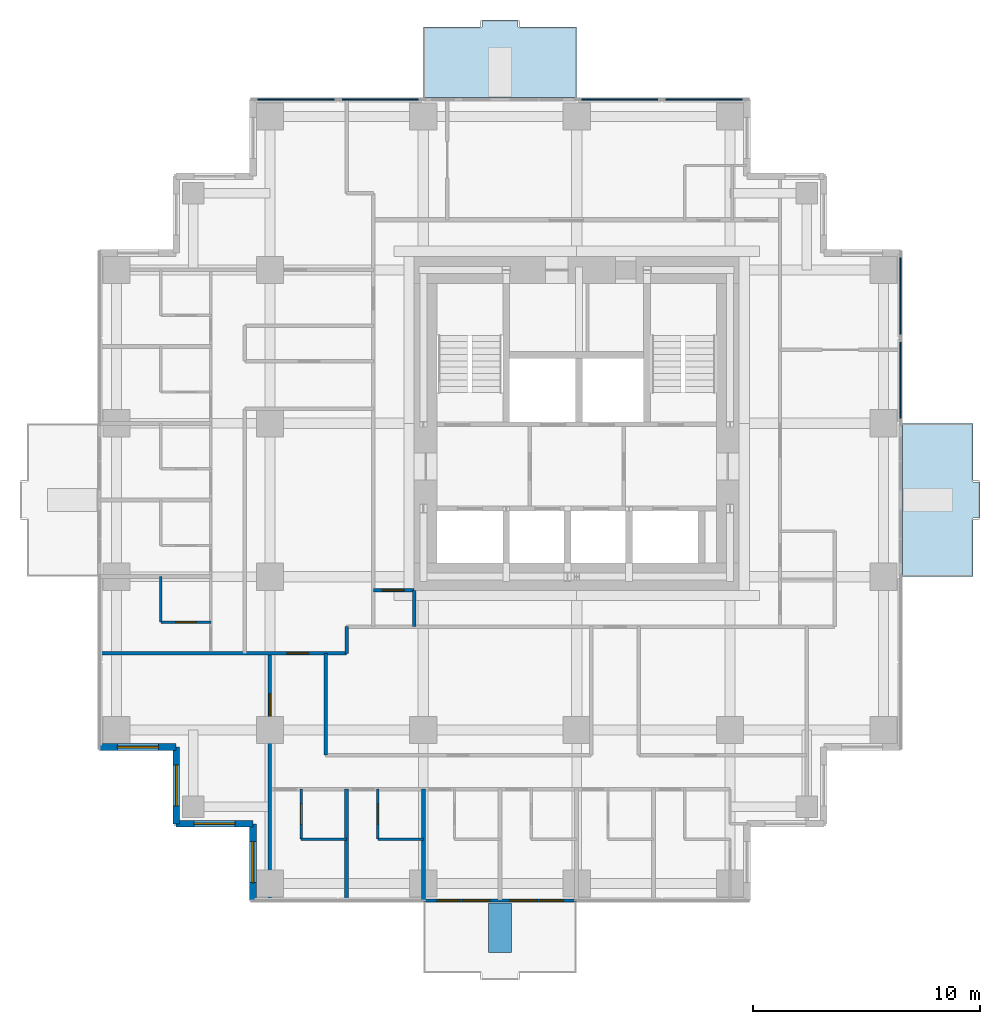
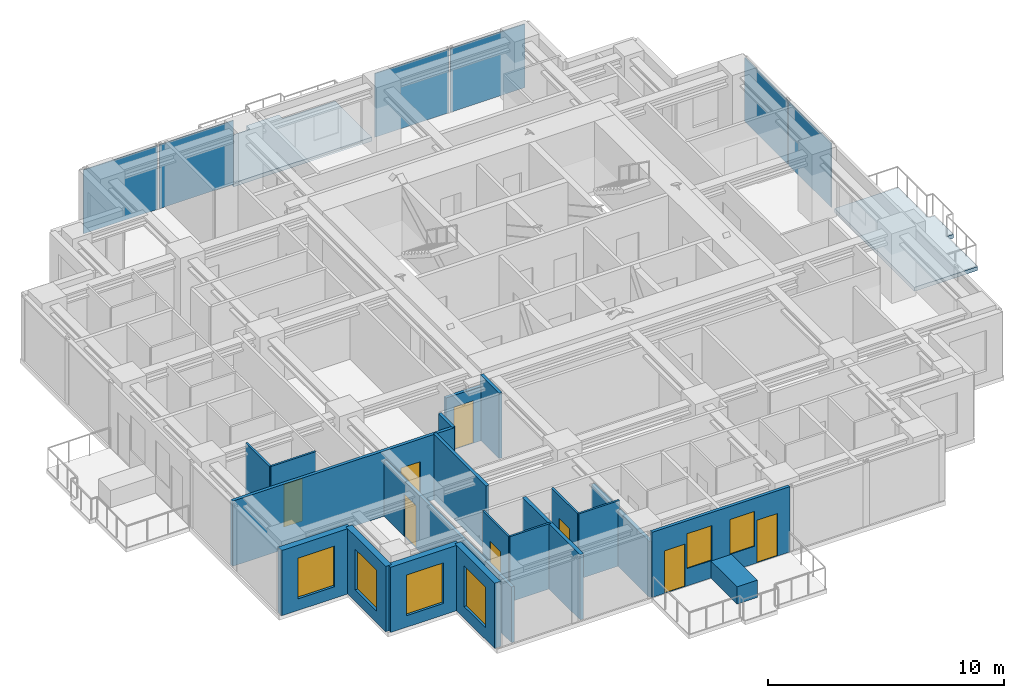
# One storey, part 3 of 8: 20 walls, 8 doors, 6 plates, 6 windows, 2 slabs, 14 openings, 3 elements without a shape of their own.
"""IFC4 building model written with IfcOpenShell, lengths in metres."""

from ifc_helpers import new_model, si_unit, direction, frame, frame_2d, origin, origin_2d, place, context, subcontext, project, spatial, polyline, rectangle, outline, extrude, material, layer, layer_set, type_object, element, fill, aggregate, save


model = new_model("IFC4")

# Units and contexts
model_context = context("Model", 3, precision=1e-05, world=origin(), true_north=direction((0.0, 1.0)))
body_context = subcontext(model_context, "Body", "Model", "MODEL_VIEW")
ifc_project = project(units=[si_unit("LENGTHUNIT", "METRE"), si_unit("AREAUNIT", "SQUARE_METRE"), si_unit("VOLUMEUNIT", "CUBIC_METRE"), si_unit("PLANEANGLEUNIT", "RADIAN"), si_unit("MASSUNIT", "GRAM", prefix="KILO")], contexts=[model_context])

# Site, building, storey
site_placement = place(None, origin())
site = spatial("IfcSite", under=ifc_project, at=site_placement, CompositionType="ELEMENT")
building_placement = place(site_placement, origin())
building = spatial("IfcBuilding", under=site, at=building_placement, Name="Nyansa Garden Tower", CompositionType="ELEMENT")
storey_placement = place(building_placement, frame((0.0, 0.0, 171.0)))
storey = spatial("IfcBuildingStorey", under=building, at=storey_placement, Name="L46", CompositionType="ELEMENT", Elevation=171.0)

# Slabs
ifc_material_1 = material(Name="Concrete C40/50", Category="concrete")
ifc_layer_1 = layer(ifc_material_1, 0.199951171875)
ifc_layer_set_1 = layer_set([ifc_layer_1], Name="Balcony slab BS200")
slab_type = type_object("IfcSlabType", Name="Balcony slab BS200", PredefinedType="FLOOR", material=ifc_layer_set_1)
slab_1_placement = place(storey_placement, frame((0.0, 0.0, -0.239990234375)))
element("IfcSlab", 1, at=slab_1_placement, inside=storey, type_object=slab_type, Name="Balcony L46 E", PredefinedType="FLOOR", context=body_context, shape_type="SweptSolid", body=[
    extrude(outline(polyline([(34.60009765625, 13.5), (34.60009765625, 20.25), (37.699951171875, 20.25), (37.699951171875, 17.675048828125), (38.0, 17.675048828125), (38.0, 16.074951171875), (37.699951171875, 16.074951171875), (37.699951171875, 13.5), (34.60009765625, 13.5)])), origin(), (0.0, 0.0, 1.0), 0.199951171875),
])
slab_2_placement = place(storey_placement, frame((0.0, 0.0, -0.239990234375)))
element("IfcSlab", 2, at=slab_2_placement, inside=storey, type_object=slab_type, Name="Balcony L46 N", PredefinedType="FLOOR", context=body_context, shape_type="SweptSolid", body=[
    extrude(outline(polyline([(13.5, 34.60009765625), (20.25, 34.60009765625), (20.25, 37.699951171875), (17.675048828125, 37.699951171875), (17.675048828125, 38.0), (16.074951171875, 38.0), (16.074951171875, 37.699951171875), (13.5, 37.699951171875), (13.5, 34.60009765625)])), origin(), (0.0, 0.0, 1.0), 0.199951171875),
])

# Curtain wall, plates
ifc_material_2 = material(Name="Black anodised aluminium, dark tinted double glazing", Category="aluminium")
curtain_wall_type = type_object("IfcCurtainWallType", Name="Sky lounge curtain wall SLW", PredefinedType="USERDEFINED", material=ifc_material_2)
curtain_wall_1_placement = place(storey_placement, origin())
curtain_wall_1 = element("IfcCurtainWall", 3, at=curtain_wall_1_placement, inside=storey, type_object=curtain_wall_type, Name="Inner skin curtain wall L46 E", ObjectType="UNITISED CURTAIN WALL", PredefinedType="USERDEFINED")
ifc_material_3 = material(Name="Dark tinted laminated double glazing", Category="glass")
ifc_layer_2 = layer(ifc_material_3, 0.048095703125)
ifc_layer_set_2 = layer_set([ifc_layer_2], Name="Lounge vision panel VP-L")
plate_type = type_object("IfcPlateType", Name="Lounge vision panel VP-L", PredefinedType="CURTAIN_PANEL", material=ifc_layer_set_2)
plate_1_placement = place(storey_placement, frame((34.5, 22.14501953125, 0.0), z_axis=(0.0, 0.0, 1.0), x_axis=(0.0, 1.0, 0.0)))
plate_1 = element("IfcPlate", 4, at=plate_1_placement, type_object=plate_type, Name="SLW panel 1", PredefinedType="CURTAIN_PANEL", context=body_context, shape_type="SweptSolid", body=[
    extrude(rectangle(XDim=3.6298828125, YDim=0.048095703125, at=origin_2d()), origin(), (0.0, 0.0, 1.0), 3.294921875),
])
plate_2_placement = place(storey_placement, frame((34.5, 25.85498046875, 0.0), z_axis=(0.0, 0.0, 1.0), x_axis=(0.0, 1.0, 0.0)))
plate_2 = element("IfcPlate", 5, at=plate_2_placement, type_object=plate_type, Name="SLW panel 2", PredefinedType="CURTAIN_PANEL", context=body_context, shape_type="SweptSolid", body=[
    extrude(rectangle(XDim=3.6298828125, YDim=0.048095703125, at=origin_2d()), origin(), (0.0, 0.0, 1.0), 3.294921875),
])
aggregate(curtain_wall_1, [plate_1, plate_2])

curtain_wall_2_placement = place(storey_placement, origin())
curtain_wall_2 = element("IfcCurtainWall", 6, at=curtain_wall_2_placement, inside=storey, type_object=curtain_wall_type, Name="Inner skin curtain wall L46 N", ObjectType="UNITISED CURTAIN WALL", PredefinedType="USERDEFINED")
plate_3_placement = place(storey_placement, frame((11.60498046875, 34.5, 0.0), z_axis=(0.0, 0.0, 1.0), x_axis=(-1.0, 0.0, 0.0)))
plate_3 = element("IfcPlate", 7, at=plate_3_placement, type_object=plate_type, Name="SLW panel 1", PredefinedType="CURTAIN_PANEL", context=body_context, shape_type="SweptSolid", body=[
    extrude(rectangle(XDim=3.6298828125, YDim=0.048095703125, at=origin_2d()), origin(), (0.0, 0.0, 1.0), 3.294921875),
])
plate_4_placement = place(storey_placement, frame((7.89501953125, 34.5, 0.0), z_axis=(0.0, 0.0, 1.0), x_axis=(-1.0, 0.0, 0.0)))
plate_4 = element("IfcPlate", 8, at=plate_4_placement, type_object=plate_type, Name="SLW panel 2", PredefinedType="CURTAIN_PANEL", context=body_context, shape_type="SweptSolid", body=[
    extrude(rectangle(XDim=3.6298828125, YDim=0.048095703125, at=origin_2d()), origin(), (0.0, 0.0, 1.0), 3.294921875),
])
aggregate(curtain_wall_2, [plate_3, plate_4])

curtain_wall_3_placement = place(storey_placement, origin())
curtain_wall_3 = element("IfcCurtainWall", 9, at=curtain_wall_3_placement, inside=storey, type_object=curtain_wall_type, Name="Inner skin curtain wall L46 N", ObjectType="UNITISED CURTAIN WALL", PredefinedType="USERDEFINED")
plate_5_placement = place(storey_placement, frame((25.85498046875, 34.5, 0.0), z_axis=(0.0, 0.0, 1.0), x_axis=(-1.0, 0.0, 0.0)))
plate_5 = element("IfcPlate", 10, at=plate_5_placement, type_object=plate_type, Name="SLW panel 1", PredefinedType="CURTAIN_PANEL", context=body_context, shape_type="SweptSolid", body=[
    extrude(rectangle(XDim=3.6298828125, YDim=0.048095703125, at=origin_2d()), origin(), (0.0, 0.0, 1.0), 3.294921875),
])
plate_6_placement = place(storey_placement, frame((22.14501953125, 34.5, 0.0), z_axis=(0.0, 0.0, 1.0), x_axis=(-1.0, 0.0, 0.0)))
plate_6 = element("IfcPlate", 11, at=plate_6_placement, type_object=plate_type, Name="SLW panel 2", PredefinedType="CURTAIN_PANEL", context=body_context, shape_type="SweptSolid", body=[
    extrude(rectangle(XDim=3.6298828125, YDim=0.048095703125, at=origin_2d()), origin(), (0.0, 0.0, 1.0), 3.294921875),
])
aggregate(curtain_wall_3, [plate_5, plate_6])

# Walls
ifc_material_4 = material(Name="Dense blockwork, plastered both sides, 55 dB", Category="masonry")
ifc_layer_3 = layer(ifc_material_4, 0.175048828125)
ifc_layer_set_3 = layer_set([ifc_layer_3], Name="Acoustic party wall PW175")
wall_type_1 = type_object("IfcWallType", Name="Acoustic party wall PW175", PredefinedType="PARTITIONING", material=ifc_layer_set_3)
wall_1_placement = place(storey_placement, frame((10.125, -0.73388671875, 0.0), z_axis=(0.0, 0.0, 1.0), x_axis=(0.0, 1.0, 0.0)))
element("IfcWall", 12, at=wall_1_placement, inside=storey, type_object=wall_type_1, Name="Party wall", PredefinedType="PARTITIONING", context=body_context, shape_type="SweptSolid", body=[
    extrude(rectangle(XDim=4.8837890625, YDim=0.175048828125, at=frame_2d((2.44189453125, 0.0))), origin(), (0.0, 0.0, 1.0), 3.375),
])
wall_2_placement = place(storey_placement, frame((13.5, -0.73388671875, 0.0), z_axis=(0.0, 0.0, 1.0), x_axis=(0.0, 1.0, 0.0)))
element("IfcWall", 13, at=wall_2_placement, inside=storey, type_object=wall_type_1, Name="Party wall", PredefinedType="PARTITIONING", context=body_context, shape_type="SweptSolid", body=[
    extrude(rectangle(XDim=4.8837890625, YDim=0.175048828125, at=frame_2d((2.44189453125, 0.0))), origin(), (0.0, 0.0, 1.0), 2.876953125),
])

# Wall, openings, doors, windows
ifc_material_5 = material(Name="Black aluminium framed glazed screen", Category="aluminium")
ifc_layer_4 = layer(ifc_material_5, 0.14990234375)
ifc_layer_set_4 = layer_set([ifc_layer_4], Name="Balcony screen wall BW150")
wall_type_2 = type_object("IfcWallType", Name="Balcony screen wall BW150", PredefinedType="SOLIDWALL", material=ifc_layer_set_4)
wall_3_placement = place(storey_placement, frame((20.25, -0.75, 0.0), z_axis=(0.0, 0.0, 1.0), x_axis=(-1.0, 0.0, 0.0)))
wall_3 = element("IfcWall", 14, at=wall_3_placement, inside=storey, type_object=wall_type_2, Name="Glazed screen wall L46 S", PredefinedType="SOLIDWALL", context=body_context, shape_type="SweptSolid", body=[
    extrude(rectangle(XDim=6.75, YDim=0.14990234375, at=frame_2d((3.375, 0.0))), origin(), (0.0, 0.0, 1.0), 3.375),
])
opening_1_placement = place(wall_3_placement, frame((0.612548828125, 0.0, 0.0)))
opening_1 = element("IfcOpeningElement", 15, at=opening_1_placement, cuts=wall_3, Name="Opening D20", PredefinedType="OPENING", context=body_context, shape_type="SweptSolid", body=[
    extrude(rectangle(XDim=1.0, YDim=2.199951171875, at=frame_2d((0.5, 1.10009765625))), frame((0.0, 0.0849609375, 0.0), z_axis=(0.0, -1.0, 0.0), x_axis=(1.0, 0.0, 0.0)), (0.0, 0.0, 1.0), 0.169921875),
])
opening_2_placement = place(wall_3_placement, frame((1.72509765625, 0.0, 0.89990234375)))
opening_2 = element("IfcOpeningElement", 16, at=opening_2_placement, cuts=wall_3, Name="Opening W6", PredefinedType="OPENING", context=body_context, shape_type="SweptSolid", body=[
    extrude(rectangle(XDim=1.199951171875, YDim=1.800048828125, at=frame_2d((0.60009765625, 0.89990234375))), frame((0.0, 0.0849609375, 0.0), z_axis=(0.0, -1.0, 0.0), x_axis=(1.0, 0.0, 0.0)), (0.0, 0.0, 1.0), 0.169921875),
])
opening_3_placement = place(wall_3_placement, frame((5.137451171875, 0.0, 0.0)))
opening_3 = element("IfcOpeningElement", 17, at=opening_3_placement, cuts=wall_3, Name="Opening D20", PredefinedType="OPENING", context=body_context, shape_type="SweptSolid", body=[
    extrude(rectangle(XDim=1.0, YDim=2.199951171875, at=frame_2d((0.5, 1.10009765625))), frame((0.0, 0.0849609375, 0.0), z_axis=(0.0, -1.0, 0.0), x_axis=(1.0, 0.0, 0.0)), (0.0, 0.0, 1.0), 0.169921875),
])
opening_4_placement = place(wall_3_placement, frame((3.824951171875, 0.0, 0.89990234375)))
opening_4 = element("IfcOpeningElement", 18, at=opening_4_placement, cuts=wall_3, Name="Opening W6", PredefinedType="OPENING", context=body_context, shape_type="SweptSolid", body=[
    extrude(rectangle(XDim=1.199951171875, YDim=1.800048828125, at=frame_2d((0.60009765625, 0.89990234375))), frame((0.0, 0.0849609375, 0.0), z_axis=(0.0, -1.0, 0.0), x_axis=(1.0, 0.0, 0.0)), (0.0, 0.0, 1.0), 0.169921875),
])
ifc_material_6 = material(Name="Black aluminium framed glazed door", Category="aluminium")
door_type_1 = type_object("IfcDoorType", Name="Balcony door D20 1000x2200", OperationType="NOTDEFINED", PredefinedType="DOOR", material=ifc_material_6)
door_1_placement = place(opening_1_placement, origin())
door_1 = element("IfcDoor", 19, at=door_1_placement, inside=storey, type_object=door_type_1, Name="Balcony door L46", OperationType="SINGLE_SWING_LEFT", OverallHeight=2.199951171875, OverallWidth=1.0, PredefinedType="DOOR", context=body_context, shape_type="SweptSolid", body=[
    extrude(rectangle(XDim=1.0, YDim=2.199951171875, at=frame_2d((0.5, 1.10009765625))), frame((0.0, 0.02490234375, 0.0), z_axis=(0.0, -1.0, 0.0), x_axis=(1.0, 0.0, 0.0)), (0.0, 0.0, 1.0), 0.050048828125),
])
fill(opening_1, door_1)
door_2_placement = place(opening_3_placement, origin())
door_2 = element("IfcDoor", 20, at=door_2_placement, inside=storey, type_object=door_type_1, Name="Balcony door L46", OperationType="SINGLE_SWING_RIGHT", OverallHeight=2.199951171875, OverallWidth=1.0, PredefinedType="DOOR", context=body_context, shape_type="SweptSolid", body=[
    extrude(rectangle(XDim=1.0, YDim=2.199951171875, at=frame_2d((0.5, 1.10009765625))), frame((0.0, 0.02490234375, 0.0), z_axis=(0.0, -1.0, 0.0), x_axis=(1.0, 0.0, 0.0)), (0.0, 0.0, 1.0), 0.050048828125),
])
fill(opening_3, door_2)
ifc_material_7 = material(Name="Black aluminium frame, dark tinted double glazing", Category="aluminium")
window_type_1 = type_object("IfcWindowType", Name="Balcony window W6 1200x1800", PartitioningType="SINGLE_PANEL", PredefinedType="WINDOW", material=ifc_material_7)
window_1_placement = place(opening_2_placement, origin())
window_1 = element("IfcWindow", 21, at=window_1_placement, inside=storey, type_object=window_type_1, Name="Window L46", OverallHeight=1.800048828125, OverallWidth=1.199951171875, PartitioningType="SINGLE_PANEL", PredefinedType="WINDOW", context=body_context, shape_type="SweptSolid", body=[
    extrude(rectangle(XDim=1.199951171875, YDim=1.800048828125, at=frame_2d((0.60009765625, 0.89990234375))), frame((0.0, 0.030029296875, 0.0), z_axis=(0.0, -1.0, 0.0), x_axis=(1.0, 0.0, 0.0)), (0.0, 0.0, 1.0), 0.06005859375),
])
fill(opening_2, window_1)
window_2_placement = place(opening_4_placement, origin())
window_2 = element("IfcWindow", 22, at=window_2_placement, inside=storey, type_object=window_type_1, Name="Window L46", OverallHeight=1.800048828125, OverallWidth=1.199951171875, PartitioningType="SINGLE_PANEL", PredefinedType="WINDOW", context=body_context, shape_type="SweptSolid", body=[
    extrude(rectangle(XDim=1.199951171875, YDim=1.800048828125, at=frame_2d((0.60009765625, 0.89990234375))), frame((0.0, 0.030029296875, 0.0), z_axis=(0.0, -1.0, 0.0), x_axis=(1.0, 0.0, 0.0)), (0.0, 0.0, 1.0), 0.06005859375),
])
fill(opening_4, window_2)

# Wall, opening, door
ifc_material_8 = material(Name="Blockwork, plastered both sides", Category="masonry")
ifc_layer_5 = layer(ifc_material_8, 0.14990234375)
ifc_layer_set_5 = layer_set([ifc_layer_5], Name="Partition PW150")
wall_type_3 = type_object("IfcWallType", Name="Partition PW150", PredefinedType="PARTITIONING", material=ifc_layer_set_5)
wall_4_placement = place(storey_placement, frame((-0.73388671875, 10.125, 0.0), z_axis=(0.0, 0.0, 1.0), x_axis=(1.0, 0.0, 0.0)))
wall_4 = element("IfcWall", 23, at=wall_4_placement, inside=storey, type_object=wall_type_3, Name="Partition", PredefinedType="PARTITIONING", context=body_context, shape_type="SweptSolid", body=[
    extrude(rectangle(XDim=10.85888671875, YDim=0.14990234375, at=frame_2d((5.429443359375, 0.0))), origin(), (0.0, 0.0, 1.0), 3.375),
])
opening_5_placement = place(wall_4_placement, frame((8.23388671875, 0.0, 0.0)))
opening_5 = element("IfcOpeningElement", 24, at=opening_5_placement, cuts=wall_4, Name="Opening D01", PredefinedType="OPENING", context=body_context, shape_type="SweptSolid", body=[
    extrude(rectangle(XDim=0.949951171875, YDim=2.199951171875, at=frame_2d((0.47509765625, 1.10009765625))), frame((0.0, 0.0849609375, 0.0), z_axis=(0.0, -1.0, 0.0), x_axis=(1.0, 0.0, 0.0)), (0.0, 0.0, 1.0), 0.169921875),
])
ifc_material_9 = material(Name="Timber flush door, 30 minute fire resisting", Category="wood")
door_type_2 = type_object("IfcDoorType", Name="Bedroom door D01 950x2200", OperationType="SINGLE_SWING_LEFT", PredefinedType="DOOR", material=ifc_material_9)
door_3_placement = place(opening_5_placement, origin())
door_3 = element("IfcDoor", 25, at=door_3_placement, inside=storey, type_object=door_type_2, Name="Door L46-054", OperationType="SINGLE_SWING_LEFT", OverallHeight=2.199951171875, OverallWidth=0.949951171875, PredefinedType="DOOR", context=body_context, shape_type="SweptSolid", body=[
    extrude(rectangle(XDim=0.949951171875, YDim=2.199951171875, at=frame_2d((0.47509765625, 1.10009765625))), frame((0.0, 0.02490234375, 0.0), z_axis=(0.0, -1.0, 0.0), x_axis=(1.0, 0.0, 0.0)), (0.0, 0.0, 1.0), 0.050048828125),
])
fill(opening_5, door_3)

wall_5_placement = place(storey_placement, frame((6.75, -0.73388671875, 0.0), z_axis=(0.0, 0.0, 1.0), x_axis=(0.0, 1.0, 0.0)))
wall_5 = element("IfcWall", 26, at=wall_5_placement, inside=storey, type_object=wall_type_3, Name="Partition", PredefinedType="PARTITIONING", context=body_context, shape_type="SweptSolid", body=[
    extrude(rectangle(XDim=10.85888671875, YDim=0.14990234375, at=frame_2d((5.429443359375, 0.0))), origin(), (0.0, 0.0, 1.0), 2.876953125),
])
opening_6_placement = place(wall_5_placement, frame((8.083984375, 0.0, 0.0)))
opening_6 = element("IfcOpeningElement", 27, at=opening_6_placement, cuts=wall_5, Name="Opening D03", PredefinedType="OPENING", context=body_context, shape_type="SweptSolid", body=[
    extrude(rectangle(XDim=1.0, YDim=2.199951171875, at=frame_2d((0.5, 1.10009765625))), frame((0.0, 0.0849609375, 0.0), z_axis=(0.0, -1.0, 0.0), x_axis=(1.0, 0.0, 0.0)), (0.0, 0.0, 1.0), 0.169921875),
])
ifc_material_10 = material(Name="Timber flush door, 60 minute fire resisting", Category="wood")
door_type_3 = type_object("IfcDoorType", Name="Cluster entrance door D03 1000x2200", OperationType="SINGLE_SWING_LEFT", PredefinedType="DOOR", material=ifc_material_10)
door_4_placement = place(opening_6_placement, origin())
door_4 = element("IfcDoor", 28, at=door_4_placement, inside=storey, type_object=door_type_3, Name="Door L46-029", OperationType="SINGLE_SWING_LEFT", OverallHeight=2.199951171875, OverallWidth=1.0, PredefinedType="DOOR", context=body_context, shape_type="SweptSolid", body=[
    extrude(rectangle(XDim=1.0, YDim=2.199951171875, at=frame_2d((0.5, 1.10009765625))), frame((0.0, 0.02490234375, 0.0), z_axis=(0.0, -1.0, 0.0), x_axis=(1.0, 0.0, 0.0)), (0.0, 0.0, 1.0), 0.050048828125),
])
fill(opening_6, door_4)

# Walls
wall_6_placement = place(storey_placement, frame((9.199951171875, 5.64990234375, 0.0), z_axis=(0.0, 0.0, 1.0), x_axis=(0.0, 1.0, 0.0)))
element("IfcWall", 29, at=wall_6_placement, inside=storey, type_object=wall_type_3, Name="Partition", PredefinedType="PARTITIONING", context=body_context, shape_type="SweptSolid", body=[
    extrude(rectangle(XDim=4.47509765625, YDim=0.14990234375, at=frame_2d((2.237548828125, 0.0))), origin(), (0.0, 0.0, 1.0), 3.375),
])
wall_7_placement = place(storey_placement, frame((10.125, 10.125, 0.0), z_axis=(0.0, 0.0, 1.0), x_axis=(0.0, 1.0, 0.0)))
element("IfcWall", 30, at=wall_7_placement, inside=storey, type_object=wall_type_3, Name="Partition", PredefinedType="PARTITIONING", context=body_context, shape_type="SweptSolid", body=[
    extrude(rectangle(XDim=1.175048828125, YDim=0.14990234375, at=frame_2d((0.58740234375, 0.0))), origin(), (0.0, 0.0, 1.0), 3.375),
])

# Wall, opening, door
wall_8_placement = place(storey_placement, frame((11.300048828125, 12.89990234375, 0.0), z_axis=(0.0, 0.0, 1.0), x_axis=(1.0, 0.0, 0.0)))
wall_8 = element("IfcWall", 31, at=wall_8_placement, inside=storey, type_object=wall_type_3, Name="Partition", PredefinedType="PARTITIONING", context=body_context, shape_type="SweptSolid", body=[
    extrude(rectangle(XDim=1.800048828125, YDim=0.14990234375, at=frame_2d((0.89990234375, 0.0))), origin(), (0.0, 0.0, 1.0), 2.805908203125),
])
opening_7_placement = place(wall_8_placement, frame((0.39990234375, 0.0, 0.0)))
opening_7 = element("IfcOpeningElement", 32, at=opening_7_placement, cuts=wall_8, Name="Opening D01", PredefinedType="OPENING", context=body_context, shape_type="SweptSolid", body=[
    extrude(rectangle(XDim=0.949951171875, YDim=2.199951171875, at=frame_2d((0.47509765625, 1.10009765625))), frame((0.0, 0.0849609375, 0.0), z_axis=(0.0, -1.0, 0.0), x_axis=(1.0, 0.0, 0.0)), (0.0, 0.0, 1.0), 0.169921875),
])
door_5_placement = place(opening_7_placement, origin())
door_5 = element("IfcDoor", 33, at=door_5_placement, inside=storey, type_object=door_type_2, Name="Door L46-016", OperationType="SINGLE_SWING_LEFT", OverallHeight=2.199951171875, OverallWidth=0.949951171875, PredefinedType="DOOR", context=body_context, shape_type="SweptSolid", body=[
    extrude(rectangle(XDim=0.949951171875, YDim=2.199951171875, at=frame_2d((0.47509765625, 1.10009765625))), frame((0.0, 0.02490234375, 0.0), z_axis=(0.0, -1.0, 0.0), x_axis=(1.0, 0.0, 0.0)), (0.0, 0.0, 1.0), 0.050048828125),
])
fill(opening_7, door_5)

# Wall
wall_9_placement = place(storey_placement, frame((13.10009765625, 11.300048828125, 0.0), z_axis=(0.0, 0.0, 1.0), x_axis=(0.0, 1.0, 0.0)))
element("IfcWall", 34, at=wall_9_placement, inside=storey, type_object=wall_type_3, Name="Partition", PredefinedType="PARTITIONING", context=body_context, shape_type="SweptSolid", body=[
    extrude(rectangle(XDim=1.599853515625, YDim=0.14990234375, at=frame_2d((0.7998046875, 0.0))), origin(), (0.0, 0.0, 1.0), 3.375),
])

# Wall, opening, window
ifc_material_11 = material(Name="Turquoise glazed tile on concrete blockwork", Category="masonry")
ifc_layer_6 = layer(ifc_material_11, 0.300048828125)
ifc_layer_set_6 = layer_set([ifc_layer_6], Name="Tiled corner wall TW300")
wall_type_4 = type_object("IfcWallType", Name="Tiled corner wall TW300", PredefinedType="SOLIDWALL", material=ifc_layer_set_6)
wall_10_placement = place(storey_placement, frame((-0.75, 6.0, 0.0), z_axis=(0.0, 0.0, 1.0), x_axis=(1.0, 0.0, 0.0)))
wall_10 = element("IfcWall", 35, at=wall_10_placement, inside=storey, type_object=wall_type_4, Name="Tiled corner wall L46", PredefinedType="SOLIDWALL", context=body_context, shape_type="SweptSolid", body=[
    extrude(rectangle(XDim=3.375, YDim=0.300048828125, at=frame_2d((1.6875, 0.0))), origin(), (0.0, 0.0, 1.0), 3.375),
])
opening_8_placement = place(wall_10_placement, frame((0.78759765625, 0.0, 0.60009765625)))
opening_8 = element("IfcOpeningElement", 36, at=opening_8_placement, cuts=wall_10, Name="Opening W2", PredefinedType="OPENING", context=body_context, shape_type="SweptSolid", body=[
    extrude(rectangle(XDim=1.800048828125, YDim=2.10009765625, at=frame_2d((0.89990234375, 1.050048828125))), frame((0.0, 0.159912109375, 0.0), z_axis=(0.0, -1.0, 0.0), x_axis=(1.0, 0.0, 0.0)), (0.0, 0.0, 1.0), 0.320068359375),
])
ifc_material_12 = material(Name="Black aluminium frame, dark tinted double glazing", Category="aluminium")
window_type_2 = type_object("IfcWindowType", Name="Window W2 1800x2100", PartitioningType="SINGLE_PANEL", PredefinedType="WINDOW", material=ifc_material_12)
window_3_placement = place(opening_8_placement, origin())
window_3 = element("IfcWindow", 37, at=window_3_placement, inside=storey, type_object=window_type_2, Name="Corner window L46", OverallHeight=2.10009765625, OverallWidth=1.800048828125, PartitioningType="SINGLE_PANEL", PredefinedType="WINDOW", context=body_context, shape_type="SweptSolid", body=[
    extrude(rectangle(XDim=1.800048828125, YDim=2.10009765625, at=frame_2d((0.89990234375, 1.050048828125))), frame((0.0, 0.030029296875, 0.0), z_axis=(0.0, -1.0, 0.0), x_axis=(1.0, 0.0, 0.0)), (0.0, 0.0, 1.0), 0.06005859375),
])
fill(opening_8, window_3)

wall_11_placement = place(storey_placement, frame((2.625, 6.0, 0.0), z_axis=(0.0, 0.0, 1.0), x_axis=(0.0, -1.0, 0.0)))
wall_11 = element("IfcWall", 38, at=wall_11_placement, inside=storey, type_object=wall_type_4, Name="Tiled corner wall L46", PredefinedType="SOLIDWALL", context=body_context, shape_type="SweptSolid", body=[
    extrude(rectangle(XDim=3.375, YDim=0.300048828125, at=frame_2d((1.6875, 0.0))), origin(), (0.0, 0.0, 1.0), 3.375),
])
opening_9_placement = place(wall_11_placement, frame((0.78759765625, 0.0, 0.60009765625)))
opening_9 = element("IfcOpeningElement", 39, at=opening_9_placement, cuts=wall_11, Name="Opening W2", PredefinedType="OPENING", context=body_context, shape_type="SweptSolid", body=[
    extrude(rectangle(XDim=1.800048828125, YDim=2.10009765625, at=frame_2d((0.89990234375, 1.050048828125))), frame((0.0, 0.159912109375, 0.0), z_axis=(0.0, -1.0, 0.0), x_axis=(1.0, 0.0, 0.0)), (0.0, 0.0, 1.0), 0.320068359375),
])
window_4_placement = place(opening_9_placement, origin())
window_4 = element("IfcWindow", 40, at=window_4_placement, inside=storey, type_object=window_type_2, Name="Corner window L46", OverallHeight=2.10009765625, OverallWidth=1.800048828125, PartitioningType="SINGLE_PANEL", PredefinedType="WINDOW", context=body_context, shape_type="SweptSolid", body=[
    extrude(rectangle(XDim=1.800048828125, YDim=2.10009765625, at=frame_2d((0.89990234375, 1.050048828125))), frame((0.0, 0.030029296875, 0.0), z_axis=(0.0, -1.0, 0.0), x_axis=(1.0, 0.0, 0.0)), (0.0, 0.0, 1.0), 0.06005859375),
])
fill(opening_9, window_4)

wall_12_placement = place(storey_placement, frame((2.625, 2.625, 0.0), z_axis=(0.0, 0.0, 1.0), x_axis=(1.0, 0.0, 0.0)))
wall_12 = element("IfcWall", 41, at=wall_12_placement, inside=storey, type_object=wall_type_4, Name="Tiled corner wall L46", PredefinedType="SOLIDWALL", context=body_context, shape_type="SweptSolid", body=[
    extrude(rectangle(XDim=3.375, YDim=0.300048828125, at=frame_2d((1.6875, 0.0))), origin(), (0.0, 0.0, 1.0), 3.375),
])
opening_10_placement = place(wall_12_placement, frame((0.78759765625, 0.0, 0.60009765625)))
opening_10 = element("IfcOpeningElement", 42, at=opening_10_placement, cuts=wall_12, Name="Opening W2", PredefinedType="OPENING", context=body_context, shape_type="SweptSolid", body=[
    extrude(rectangle(XDim=1.800048828125, YDim=2.10009765625, at=frame_2d((0.89990234375, 1.050048828125))), frame((0.0, 0.159912109375, 0.0), z_axis=(0.0, -1.0, 0.0), x_axis=(1.0, 0.0, 0.0)), (0.0, 0.0, 1.0), 0.320068359375),
])
window_5_placement = place(opening_10_placement, origin())
window_5 = element("IfcWindow", 43, at=window_5_placement, inside=storey, type_object=window_type_2, Name="Corner window L46", OverallHeight=2.10009765625, OverallWidth=1.800048828125, PartitioningType="SINGLE_PANEL", PredefinedType="WINDOW", context=body_context, shape_type="SweptSolid", body=[
    extrude(rectangle(XDim=1.800048828125, YDim=2.10009765625, at=frame_2d((0.89990234375, 1.050048828125))), frame((0.0, 0.030029296875, 0.0), z_axis=(0.0, -1.0, 0.0), x_axis=(1.0, 0.0, 0.0)), (0.0, 0.0, 1.0), 0.06005859375),
])
fill(opening_10, window_5)

wall_13_placement = place(storey_placement, frame((6.0, 2.625, 0.0), z_axis=(0.0, 0.0, 1.0), x_axis=(0.0, -1.0, 0.0)))
wall_13 = element("IfcWall", 44, at=wall_13_placement, inside=storey, type_object=wall_type_4, Name="Tiled corner wall L46", PredefinedType="SOLIDWALL", context=body_context, shape_type="SweptSolid", body=[
    extrude(rectangle(XDim=3.375, YDim=0.300048828125, at=frame_2d((1.6875, 0.0))), origin(), (0.0, 0.0, 1.0), 3.375),
])
opening_11_placement = place(wall_13_placement, frame((0.78759765625, 0.0, 0.60009765625)))
opening_11 = element("IfcOpeningElement", 45, at=opening_11_placement, cuts=wall_13, Name="Opening W2", PredefinedType="OPENING", context=body_context, shape_type="SweptSolid", body=[
    extrude(rectangle(XDim=1.800048828125, YDim=2.10009765625, at=frame_2d((0.89990234375, 1.050048828125))), frame((0.0, 0.159912109375, 0.0), z_axis=(0.0, -1.0, 0.0), x_axis=(1.0, 0.0, 0.0)), (0.0, 0.0, 1.0), 0.320068359375),
])
window_6_placement = place(opening_11_placement, origin())
window_6 = element("IfcWindow", 46, at=window_6_placement, inside=storey, type_object=window_type_2, Name="Corner window L46", OverallHeight=2.10009765625, OverallWidth=1.800048828125, PartitioningType="SINGLE_PANEL", PredefinedType="WINDOW", context=body_context, shape_type="SweptSolid", body=[
    extrude(rectangle(XDim=1.800048828125, YDim=2.10009765625, at=frame_2d((0.89990234375, 1.050048828125))), frame((0.0, 0.030029296875, 0.0), z_axis=(0.0, -1.0, 0.0), x_axis=(1.0, 0.0, 0.0)), (0.0, 0.0, 1.0), 0.06005859375),
])
fill(opening_11, window_6)

# Walls
ifc_material_13 = material(Name="Concrete C40/50 planter, waterproofed", Category="concrete")
ifc_layer_7 = layer(ifc_material_13, 1.0)
ifc_layer_set_7 = layer_set([ifc_layer_7], Name="Tree planter TP1")
wall_type_5 = type_object("IfcWallType", Name="Tree planter TP1", PredefinedType="USERDEFINED", material=ifc_layer_set_7)
wall_14_placement = place(storey_placement, frame((16.875, -0.85009765625, 0.0), z_axis=(0.0, 0.0, 1.0), x_axis=(0.0, -1.0, 0.0)))
element("IfcWall", 47, at=wall_14_placement, inside=storey, type_object=wall_type_5, Name="Tree planter L46", ObjectType="TREE PLANTER", PredefinedType="USERDEFINED", context=body_context, shape_type="SweptSolid", body=[
    extrude(rectangle(XDim=2.199951171875, YDim=1.0, at=frame_2d((1.10009765625, 0.0))), origin(), (0.0, 0.0, 1.0), 0.89990234375),
])
ifc_material_14 = material(Name="Moisture resistant board on steel studs, tiled", Category="steel")
ifc_layer_8 = layer(ifc_material_14, 0.10009765625)
ifc_layer_set_8 = layer_set([ifc_layer_8], Name="Wet wall PW100")
wall_type_6 = type_object("IfcWallType", Name="Wet wall PW100", PredefinedType="PARTITIONING", material=ifc_layer_set_8)
wall_15_placement = place(storey_placement, frame((1.949951171875, 11.5, 0.0), z_axis=(0.0, 0.0, 1.0), x_axis=(0.0, 1.0, 0.0)))
element("IfcWall", 48, at=wall_15_placement, inside=storey, type_object=wall_type_6, Name="Wet wall", PredefinedType="PARTITIONING", context=body_context, shape_type="SweptSolid", body=[
    extrude(rectangle(XDim=2.0, YDim=0.10009765625, at=frame_2d((1.0, 0.0))), origin(), (0.0, 0.0, 1.0), 3.375),
])

# Wall, opening, door
wall_16_placement = place(storey_placement, frame((1.949951171875, 11.5, 0.0), z_axis=(0.0, 0.0, 1.0), x_axis=(1.0, 0.0, 0.0)))
wall_16 = element("IfcWall", 49, at=wall_16_placement, inside=storey, type_object=wall_type_6, Name="Wet wall", PredefinedType="PARTITIONING", context=body_context, shape_type="SweptSolid", body=[
    extrude(rectangle(XDim=2.199951171875, YDim=0.10009765625, at=frame_2d((1.10009765625, 0.0))), origin(), (0.0, 0.0, 1.0), 3.375),
])
opening_12_placement = place(wall_16_placement, frame((0.64990234375, 0.0, 0.0)))
opening_12 = element("IfcOpeningElement", 50, at=opening_12_placement, cuts=wall_16, Name="Opening D02", PredefinedType="OPENING", context=body_context, shape_type="SweptSolid", body=[
    extrude(rectangle(XDim=0.89990234375, YDim=2.199951171875, at=frame_2d((0.449951171875, 1.10009765625))), frame((0.0, 0.06005859375, 0.0), z_axis=(0.0, -1.0, 0.0), x_axis=(1.0, 0.0, 0.0)), (0.0, 0.0, 1.0), 0.1201171875),
])
ifc_material_15 = material(Name="Timber flush door", Category="wood")
door_type_4 = type_object("IfcDoorType", Name="En-suite door D02 900x2200", OperationType="SINGLE_SWING_RIGHT", PredefinedType="DOOR", material=ifc_material_15)
door_6_placement = place(opening_12_placement, origin())
door_6 = element("IfcDoor", 51, at=door_6_placement, inside=storey, type_object=door_type_4, Name="Door L46-042", OperationType="SINGLE_SWING_RIGHT", OverallHeight=2.199951171875, OverallWidth=0.89990234375, PredefinedType="DOOR", context=body_context, shape_type="SweptSolid", body=[
    extrude(rectangle(XDim=0.89990234375, YDim=2.199951171875, at=frame_2d((0.449951171875, 1.10009765625))), frame((0.0, 0.02490234375, 0.0), z_axis=(0.0, -1.0, 0.0), x_axis=(1.0, 0.0, 0.0)), (0.0, 0.0, 1.0), 0.050048828125),
])
fill(opening_12, door_6)

wall_17_placement = place(storey_placement, frame((8.125, 1.949951171875, 0.0), z_axis=(0.0, 0.0, 1.0), x_axis=(0.0, 1.0, 0.0)))
wall_17 = element("IfcWall", 52, at=wall_17_placement, inside=storey, type_object=wall_type_6, Name="Wet wall", PredefinedType="PARTITIONING", context=body_context, shape_type="SweptSolid", body=[
    extrude(rectangle(XDim=2.199951171875, YDim=0.10009765625, at=frame_2d((1.10009765625, 0.0))), origin(), (0.0, 0.0, 1.0), 3.375),
])
opening_13_placement = place(wall_17_placement, frame((0.64990234375, 0.0, 0.0)))
opening_13 = element("IfcOpeningElement", 53, at=opening_13_placement, cuts=wall_17, Name="Opening D02", PredefinedType="OPENING", context=body_context, shape_type="SweptSolid", body=[
    extrude(rectangle(XDim=0.89990234375, YDim=2.199951171875, at=frame_2d((0.449951171875, 1.10009765625))), frame((0.0, 0.06005859375, 0.0), z_axis=(0.0, -1.0, 0.0), x_axis=(1.0, 0.0, 0.0)), (0.0, 0.0, 1.0), 0.1201171875),
])
door_7_placement = place(opening_13_placement, origin())
door_7 = element("IfcDoor", 54, at=door_7_placement, inside=storey, type_object=door_type_4, Name="Door L46-018", OperationType="SINGLE_SWING_RIGHT", OverallHeight=2.199951171875, OverallWidth=0.89990234375, PredefinedType="DOOR", context=body_context, shape_type="SweptSolid", body=[
    extrude(rectangle(XDim=0.89990234375, YDim=2.199951171875, at=frame_2d((0.449951171875, 1.10009765625))), frame((0.0, 0.02490234375, 0.0), z_axis=(0.0, -1.0, 0.0), x_axis=(1.0, 0.0, 0.0)), (0.0, 0.0, 1.0), 0.050048828125),
])
fill(opening_13, door_7)

# Wall
wall_18_placement = place(storey_placement, frame((8.125, 1.949951171875, 0.0), z_axis=(0.0, 0.0, 1.0), x_axis=(1.0, 0.0, 0.0)))
element("IfcWall", 55, at=wall_18_placement, inside=storey, type_object=wall_type_6, Name="Wet wall", PredefinedType="PARTITIONING", context=body_context, shape_type="SweptSolid", body=[
    extrude(rectangle(XDim=2.0, YDim=0.10009765625, at=frame_2d((1.0, 0.0))), origin(), (0.0, 0.0, 1.0), 3.375),
])

# Wall, opening, door
wall_19_placement = place(storey_placement, frame((11.5, 1.949951171875, 0.0), z_axis=(0.0, 0.0, 1.0), x_axis=(0.0, 1.0, 0.0)))
wall_19 = element("IfcWall", 56, at=wall_19_placement, inside=storey, type_object=wall_type_6, Name="Wet wall", PredefinedType="PARTITIONING", context=body_context, shape_type="SweptSolid", body=[
    extrude(rectangle(XDim=2.199951171875, YDim=0.10009765625, at=frame_2d((1.10009765625, 0.0))), origin(), (0.0, 0.0, 1.0), 3.375),
])
opening_14_placement = place(wall_19_placement, frame((0.64990234375, 0.0, 0.0)))
opening_14 = element("IfcOpeningElement", 57, at=opening_14_placement, cuts=wall_19, Name="Opening D02", PredefinedType="OPENING", context=body_context, shape_type="SweptSolid", body=[
    extrude(rectangle(XDim=0.89990234375, YDim=2.199951171875, at=frame_2d((0.449951171875, 1.10009765625))), frame((0.0, 0.06005859375, 0.0), z_axis=(0.0, -1.0, 0.0), x_axis=(1.0, 0.0, 0.0)), (0.0, 0.0, 1.0), 0.1201171875),
])
door_8_placement = place(opening_14_placement, origin())
door_8 = element("IfcDoor", 58, at=door_8_placement, inside=storey, type_object=door_type_4, Name="Door L46-020", OperationType="SINGLE_SWING_RIGHT", OverallHeight=2.199951171875, OverallWidth=0.89990234375, PredefinedType="DOOR", context=body_context, shape_type="SweptSolid", body=[
    extrude(rectangle(XDim=0.89990234375, YDim=2.199951171875, at=frame_2d((0.449951171875, 1.10009765625))), frame((0.0, 0.02490234375, 0.0), z_axis=(0.0, -1.0, 0.0), x_axis=(1.0, 0.0, 0.0)), (0.0, 0.0, 1.0), 0.050048828125),
])
fill(opening_14, door_8)

# Wall
wall_20_placement = place(storey_placement, frame((11.5, 1.949951171875, 0.0), z_axis=(0.0, 0.0, 1.0), x_axis=(1.0, 0.0, 0.0)))
element("IfcWall", 59, at=wall_20_placement, inside=storey, type_object=wall_type_6, Name="Wet wall", PredefinedType="PARTITIONING", context=body_context, shape_type="SweptSolid", body=[
    extrude(rectangle(XDim=2.0, YDim=0.10009765625, at=frame_2d((1.0, 0.0))), origin(), (0.0, 0.0, 1.0), 3.375),
])

save(model, "model.ifc")
